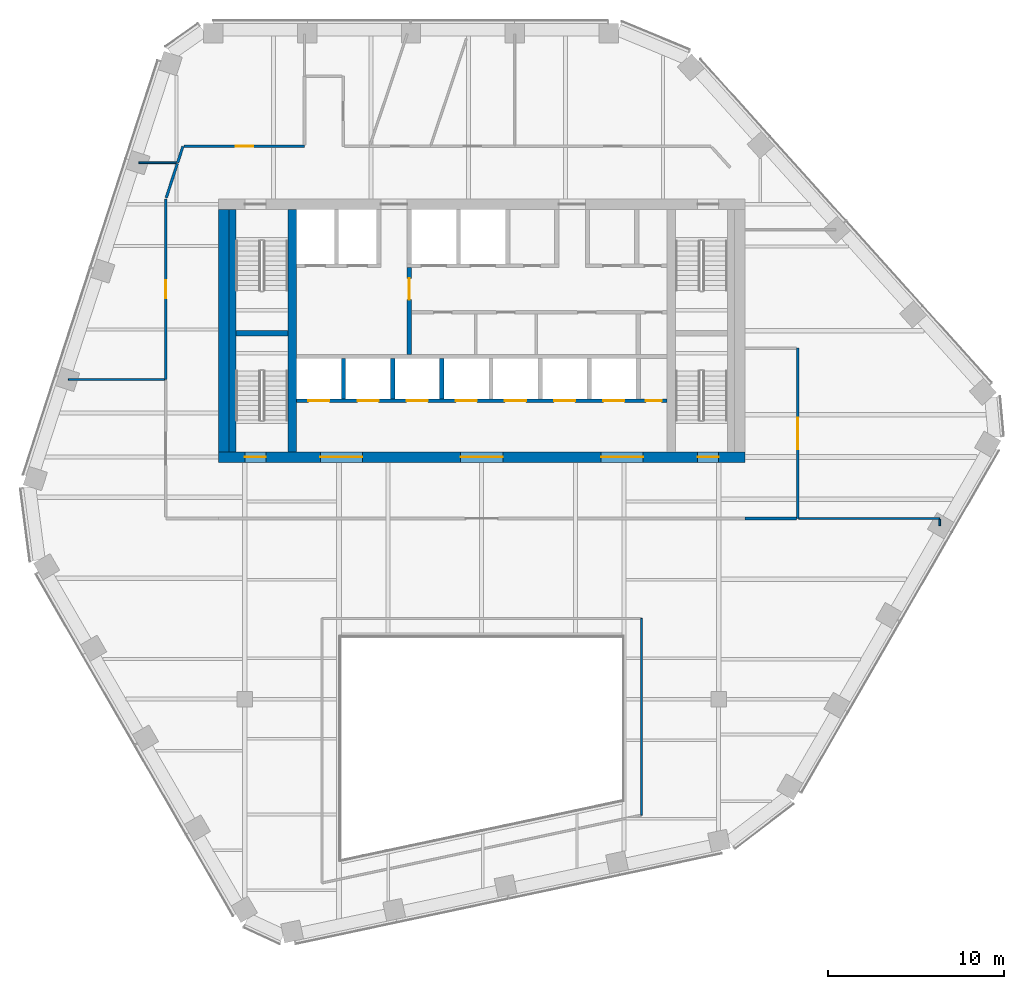
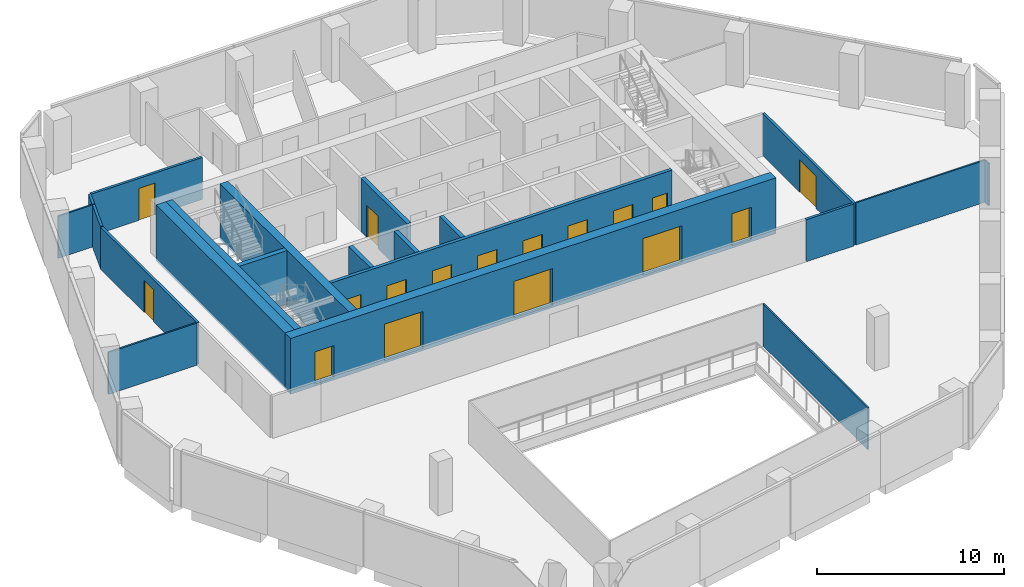
# One storey, part 9 of 15: 21 walls, 17 doors, 17 openings.
"""IFC4 building model written with IfcOpenShell, lengths in metres."""

import ifcopenshell
import ifcopenshell.guid

model = None  # the IFC model being written
_history = None  # IfcOwnerHistory: only IFC2X3 demands one
_inside = {}  # id of a spatial element -> (the spatial element, [elements in it])
_under = {}  # id of a project, library or spatial element -> (it, [spatial elements below it])
_declared = {}  # id of a project -> (the project, [libraries it declares])
_typed = {}  # id of a type object -> (the type object, [elements of that type])
_made_of = {}  # id of a material, layer set ... -> (it, [elements and type objects made of it])


def new_model(schema):
    """Start an empty IFC model of exactly this schema.

    Asked for "IFC4X3", IfcOpenShell would pick the latest addendum, in which some entities
    have other attributes; the version numbers below select the first issue.
    IFC2X3 requires an IfcOwnerHistory on every rooted entity: one is made here for all.
    """
    global model, _history
    if schema == "IFC4X3":
        model = ifcopenshell.file(schema_version=(4, 3, 0, 0))
    else:
        model = ifcopenshell.file(schema=schema)
    _inside.clear()
    _under.clear()
    _declared.clear()
    _typed.clear()
    _made_of.clear()
    _history = None
    if model.schema == "IFC2X3":
        org = make("IfcOrganization", Name="unknown")
        user = make(
            "IfcPersonAndOrganization",
            ThePerson=make("IfcPerson", FamilyName="unknown"),
            TheOrganization=org,
        )
        app = make(
            "IfcApplication",
            ApplicationDeveloper=org,
            Version="unknown",
            ApplicationFullName="unknown",
            ApplicationIdentifier="unknown",
        )
        _history = make(
            "IfcOwnerHistory",
            OwningUser=user,
            OwningApplication=app,
            ChangeAction="ADDED",
            CreationDate=0,
        )
    return model


def make(cls, **values):
    """One entity of the class cls with the attributes given. An attribute that is None is left unset."""
    return model.create_entity(
        cls, **{name: value for name, value in values.items() if value is not None}
    )


def rooted(cls, **values):
    """An entity with a GlobalId (a new one), such as an element, a storey or a relation."""
    return make(cls, GlobalId=ifcopenshell.guid.new(), OwnerHistory=_history, **values)


def si_unit(unit_type, name, prefix=None):
    """IfcSIUnit, for example si_unit("LENGTHUNIT", "METRE", prefix="MILLI")."""
    return make("IfcSIUnit", UnitType=unit_type, Prefix=prefix, Name=name)


def assignment(units):
    """IfcUnitAssignment: the units of a project."""
    return None if units is None else make("IfcUnitAssignment", Units=units)


def point(xyz):
    """IfcCartesianPoint."""
    return None if xyz is None else make("IfcCartesianPoint", Coordinates=xyz)


def direction(xyz):
    """IfcDirection."""
    return None if xyz is None else make("IfcDirection", DirectionRatios=xyz)


def frame(location, z_axis=None, x_axis=None):
    """IfcAxis2Placement3D, a coordinate frame: its origin and axes. An axis left out is left unset."""
    return make(
        "IfcAxis2Placement3D",
        Location=point(location),
        Axis=direction(z_axis),
        RefDirection=direction(x_axis),
    )


def frame_2d(location, x_axis=None):
    """IfcAxis2Placement2D, a coordinate frame in the plane: its origin and x axis."""
    return make(
        "IfcAxis2Placement2D", Location=point(location), RefDirection=direction(x_axis)
    )


def origin():
    """The frame at (0, 0, 0) with its axes left unset."""
    return frame((0.0, 0.0, 0.0))


def place(relative_to, where):
    """IfcLocalPlacement: puts the frame where relative to a parent placement (None: the world)."""
    return make(
        "IfcLocalPlacement", PlacementRelTo=relative_to, RelativePlacement=where
    )


def context(
    kind, dimensions, precision=None, world=None, true_north=None, identifier=None
):
    """IfcGeometricRepresentationContext, for example the 3D "Model" context."""
    return make(
        "IfcGeometricRepresentationContext",
        ContextIdentifier=identifier,
        ContextType=kind,
        CoordinateSpaceDimension=dimensions,
        Precision=precision,
        WorldCoordinateSystem=world,
        TrueNorth=true_north,
    )


def subcontext(parent, identifier, kind, view, scale=None):
    """IfcGeometricRepresentationSubContext, for example "Body" below "Model"."""
    return make(
        "IfcGeometricRepresentationSubContext",
        ContextIdentifier=identifier,
        ContextType=kind,
        ParentContext=parent,
        TargetScale=scale,
        TargetView=view,
    )


def project(units=None, contexts=None):
    """IfcProject with its units and contexts."""
    return rooted(
        "IfcProject",
        Name="project",
        RepresentationContexts=contexts,
        UnitsInContext=assignment(units),
    )


def spatial(cls, under=None, at=None, **own):
    """A site, building, storey or space (cls), placed at a placement, below another one or the project."""
    s = rooted(cls, ObjectPlacement=at, **own)
    if under is not None:
        _under.setdefault(under.id(), (under, []))[1].append(s)
    return s


def profile(cls, at=None, kind="AREA", **sizes):
    """A parametric profile (cls). Its sizes go by their IFC names, for example OverallWidth=200.0."""
    return make(cls, ProfileType=kind, Position=at, **sizes)


def rectangle(**sizes):
    """IfcRectangleProfileDef."""
    return profile("IfcRectangleProfileDef", **sizes)


def extrude(swept, where, along, depth):
    """IfcExtrudedAreaSolid: the profile swept, set in the frame where, extruded along a direction by depth."""
    return make(
        "IfcExtrudedAreaSolid",
        SweptArea=swept,
        Position=where,
        ExtrudedDirection=direction(along),
        Depth=depth,
    )


def shape(context_of_items, identifier, shape_type, items):
    """IfcShapeRepresentation: the items that make up one representation, for example the "Body"."""
    return make(
        "IfcShapeRepresentation",
        ContextOfItems=context_of_items,
        RepresentationIdentifier=identifier,
        RepresentationType=shape_type,
        Items=items,
    )


def material(Name=None, Category=None):
    """IfcMaterial."""
    return make("IfcMaterial", Name=Name, Category=Category)


def layer(
    of_material, thickness, ventilated=None, Name=None, Category=None, Priority=None
):
    """IfcMaterialLayer: one layer of a wall or slab, of a material (None: an air gap)."""
    return make(
        "IfcMaterialLayer",
        Material=of_material,
        LayerThickness=thickness,
        IsVentilated=ventilated,
        Name=Name,
        Category=Category,
        Priority=Priority,
    )


def layer_set(layers, Name=None):
    """IfcMaterialLayerSet."""
    return make("IfcMaterialLayerSet", MaterialLayers=layers, LayerSetName=Name)


def made_of(thing, what):
    """Note that an element or type object is made of a material, layer set ...; save() writes the relation."""
    if what is not None:
        _made_of.setdefault(what.id(), (what, []))[1].append(thing)
    return thing


def type_object(cls, material=None, **own):
    """A type object (cls), such as IfcWallType, which elements share."""
    return made_of(rooted(cls, **own), material)


def element(
    cls,
    number,
    at=None,
    inside=None,
    cuts=None,
    type_object=None,
    material=None,
    context=None,
    identifier="Body",
    shape_type=None,
    held_by="IfcProductDefinitionShape",
    body=None,
    shapes=None,
    **own,
):
    """One element of the class cls, such as IfcWall. Its Tag is "e" and its number.

    at: its placement. inside: the storey or other place that contains it. cuts: it is an
    opening in that element (IfcRelVoidsElement). A single representation is given by context,
    identifier, shape_type and body (its items); several are given by shapes. held_by: the class
    of the entity that holds the representations. save() writes the other relations.
    """
    e = rooted(cls, Tag="e%d" % number, ObjectPlacement=at, **own)
    if body is not None:
        shapes = [shape(context, identifier, shape_type, body)]
    if shapes is not None:
        e.Representation = make(held_by, Representations=shapes)
    if inside is not None:
        _inside.setdefault(inside.id(), (inside, []))[1].append(e)
    if cuts is not None:
        rooted(
            "IfcRelVoidsElement", RelatingBuildingElement=cuts, RelatedOpeningElement=e
        )
    if type_object is not None:
        _typed.setdefault(type_object.id(), (type_object, []))[1].append(e)
    return made_of(e, material)


def fill(opening, filler):
    """IfcRelFillsElement: the door or window that sits in an opening."""
    return rooted(
        "IfcRelFillsElement",
        RelatingOpeningElement=opening,
        RelatedBuildingElement=filler,
    )


def aggregate(whole, parts):
    """IfcRelAggregates: a whole, such as a stair, and the parts it consists of."""
    return rooted("IfcRelAggregates", RelatingObject=whole, RelatedObjects=parts)


def save(model, path):
    """Write the relations noted so far, then the file.

    IfcRelAggregates (storeys below a building ...), IfcRelContainedInSpatialStructure (elements
    in a storey), IfcRelDefinesByType, IfcRelAssociatesMaterial and IfcRelDeclares: one each for
    every whole, place, type object, material and project.
    """
    for whole, parts in _under.values():
        aggregate(whole, parts)
    for where, things in _inside.values():
        rooted(
            "IfcRelContainedInSpatialStructure",
            RelatedElements=things,
            RelatingStructure=where,
        )
    for kind, things in _typed.values():
        rooted("IfcRelDefinesByType", RelatedObjects=things, RelatingType=kind)
    for what, things in _made_of.values():
        rooted("IfcRelAssociatesMaterial", RelatedObjects=things, RelatingMaterial=what)
    for by, libraries in _declared.values():
        rooted("IfcRelDeclares", RelatingContext=by, RelatedDefinitions=libraries)
    model.write(path)


model = new_model("IFC4")

# Units and contexts
model_context = context("Model", 3, precision=1e-05, world=origin(), true_north=direction((0.0, 1.0)))
body_context = subcontext(model_context, "Body", "Model", "MODEL_VIEW")
ifc_project = project(units=[si_unit("LENGTHUNIT", "METRE"), si_unit("AREAUNIT", "SQUARE_METRE"), si_unit("VOLUMEUNIT", "CUBIC_METRE"), si_unit("PLANEANGLEUNIT", "RADIAN"), si_unit("MASSUNIT", "GRAM", prefix="KILO")], contexts=[model_context])

# Site, building, storey
site_placement = place(None, origin())
site = spatial("IfcSite", under=ifc_project, at=site_placement, CompositionType="ELEMENT")
building_placement = place(site_placement, origin())
building = spatial("IfcBuilding", under=site, at=building_placement, Name="Isthmus Gate Tower", CompositionType="ELEMENT")
storey_placement = place(building_placement, frame((0.0, 0.0, 223.60009765625)))
storey = spatial("IfcBuildingStorey", under=building, at=storey_placement, Name="L56", CompositionType="ELEMENT", Elevation=223.60009765625)

# Wall
ifc_material_1 = material(Name="Fire-rated laminated glass in steel frame", Category="steel")
ifc_layer_1 = layer(ifc_material_1, 0.10009765625)
ifc_layer_set_1 = layer_set([ifc_layer_1], Name="ATRIUM SCREEN GLAZED WALL 100 120 MIN")
wall_type_1 = type_object("IfcWallType", Name="ATRIUM SCREEN GLAZED WALL 100 120 MIN", PredefinedType="PARTITIONING", material=ifc_layer_set_1)
wall_1_placement = place(storey_placement, frame((9.10009765625, -8.89990234375, 0.0), z_axis=(0.0, 0.0, 1.0), x_axis=(0.0, -1.0, 0.0)))
element("IfcWall", 1, at=wall_1_placement, inside=storey, type_object=wall_type_1, Name="L56 atrium screen", PredefinedType="PARTITIONING", context=body_context, shape_type="SweptSolid", body=[
    extrude(rectangle(XDim=11.200927734375, YDim=0.10009765625, at=frame_2d((5.6005859375, 0.0))), origin(), (0.0, 0.0, 1.0), 2.75048828125),
])

# Wall, opening, door
ifc_material_2 = material(Name="Gypsum board on steel studs, fire-rated", Category="steel")
ifc_layer_2 = layer(ifc_material_2, 0.14990234375)
ifc_layer_set_2 = layer_set([ifc_layer_2], Name="CORRIDOR WALL 150 60 MIN")
wall_type_2 = type_object("IfcWallType", Name="CORRIDOR WALL 150 60 MIN", PredefinedType="PARTITIONING", material=ifc_layer_set_2)
wall_2_placement = place(storey_placement, frame((18.0, 6.5, 0.0), z_axis=(0.0, 0.0, 1.0), x_axis=(0.0, -1.0, 0.0)))
wall_2 = element("IfcWall", 2, at=wall_2_placement, inside=storey, type_object=wall_type_2, Name="L56 Corridor Wall 150 60 Min", PredefinedType="PARTITIONING", context=body_context, shape_type="SweptSolid", body=[
    extrude(rectangle(XDim=9.699951171875, YDim=0.14990234375, at=frame_2d((4.85009765625, 0.0))), origin(), (0.0, 0.0, 1.0), 2.75048828125),
])
opening_1_placement = place(wall_2_placement, frame((3.949951171875, 0.0, 0.0)))
opening_1 = element("IfcOpeningElement", 3, at=opening_1_placement, cuts=wall_2, Name="Opening DT-T5A-04", PredefinedType="OPENING", context=body_context, shape_type="SweptSolid", body=[
    extrude(rectangle(XDim=1.800048828125, YDim=2.10009765625, at=frame_2d((0.89990234375, 1.050048828125))), frame((0.0, 0.0849609375, 0.0), z_axis=(0.0, -1.0, 0.0), x_axis=(1.0, 0.0, 0.0)), (0.0, 0.0, 1.0), 0.169921875),
])
ifc_material_3 = material(Name="Solid core timber door leaf, fire-rated", Category="wood")
door_type_1 = type_object("IfcDoorType", Name="FIRE DOOR ROOM 1800 X 2100 60 MIN", OperationType="DOUBLE_DOOR_DOUBLE_SWING", PredefinedType="DOOR", material=ifc_material_3)
door_1_placement = place(opening_1_placement, origin())
door_1 = element("IfcDoor", 4, at=door_1_placement, inside=storey, type_object=door_type_1, Name="L56 room door", OperationType="DOUBLE_DOOR_DOUBLE_SWING", OverallHeight=2.10009765625, OverallWidth=1.800048828125, PredefinedType="DOOR", context=body_context, shape_type="SweptSolid", body=[
    extrude(rectangle(XDim=1.800048828125, YDim=2.10009765625, at=frame_2d((0.89990234375, 1.050048828125))), frame((0.0, 0.02490234375, 0.0), z_axis=(0.0, -1.0, 0.0), x_axis=(1.0, 0.0, 0.0)), (0.0, 0.0, 1.0), 0.050048828125),
])
fill(opening_1, door_1)

# Walls
wall_3_placement = place(storey_placement, frame((17.925048828125, -3.199951171875, 0.0), z_axis=(0.0, 0.0, 1.0), x_axis=(-1.0, 0.0, 0.0)))
element("IfcWall", 5, at=wall_3_placement, inside=storey, type_object=wall_type_2, Name="L56 Corridor Wall 150 60 Min", PredefinedType="PARTITIONING", context=body_context, shape_type="SweptSolid", body=[
    extrude(rectangle(XDim=2.925048828125, YDim=0.14990234375, at=frame_2d((1.46240234375, 0.0))), origin(), (0.0, 0.0, 1.0), 2.75048828125),
])
wall_4_placement = place(storey_placement, frame((-17.326904296875, 17.071044921875, 0.0), z_axis=(0.0, 0.0, 1.0), x_axis=(0.309170843074, 0.951006514064, 0.0)))
element("IfcWall", 6, at=wall_4_placement, inside=storey, type_object=wall_type_2, Name="L56 Corridor Wall 150 60 Min", PredefinedType="PARTITIONING", context=body_context, shape_type="SweptSolid", body=[
    extrude(rectangle(XDim=0.976806640625, YDim=0.14990234375, at=frame_2d((0.48828125, 0.0))), origin(), (0.0, 0.0, 1.0), 2.75048828125),
])

# Wall, opening, door
wall_5_placement = place(storey_placement, frame((-16.949951171875, 18.0, 0.0), z_axis=(0.0, 0.0, 1.0), x_axis=(1.0, 0.0, 0.0)))
wall_5 = element("IfcWall", 7, at=wall_5_placement, inside=storey, type_object=wall_type_2, Name="L56 Corridor Wall 150 60 Min", PredefinedType="PARTITIONING", context=body_context, shape_type="SweptSolid", body=[
    extrude(rectangle(XDim=6.849853515625, YDim=0.14990234375, at=frame_2d((3.4248046875, 0.0))), origin(), (0.0, 0.0, 1.0), 2.75048828125),
])
opening_2_placement = place(wall_5_placement, frame((2.925048828125, 0.0, 0.0)))
opening_2 = element("IfcOpeningElement", 8, at=opening_2_placement, cuts=wall_5, Name="Opening DT-T5A-01", PredefinedType="OPENING", context=body_context, shape_type="SweptSolid", body=[
    extrude(rectangle(XDim=1.0, YDim=2.10009765625, at=frame_2d((0.5, 1.050048828125))), frame((0.0, 0.0849609375, 0.0), z_axis=(0.0, -1.0, 0.0), x_axis=(1.0, 0.0, 0.0)), (0.0, 0.0, 1.0), 0.169921875),
])
ifc_material_4 = material(Name="Solid core timber door leaf, fire-rated", Category="wood")
door_type_2 = type_object("IfcDoorType", Name="FIRE DOOR ROOM 1000 X 2100 60 MIN", OperationType="SINGLE_SWING_LEFT", PredefinedType="DOOR", material=ifc_material_4)
door_2_placement = place(opening_2_placement, origin())
door_2 = element("IfcDoor", 9, at=door_2_placement, inside=storey, type_object=door_type_2, Name="L56 room door", OperationType="SINGLE_SWING_RIGHT", OverallHeight=2.10009765625, OverallWidth=1.0, PredefinedType="DOOR", context=body_context, shape_type="SweptSolid", body=[
    extrude(rectangle(XDim=1.0, YDim=2.10009765625, at=frame_2d((0.5, 1.050048828125))), frame((0.0, 0.02490234375, 0.0), z_axis=(0.0, -1.0, 0.0), x_axis=(1.0, 0.0, 0.0)), (0.0, 0.0, 1.0), 0.050048828125),
])
fill(opening_2, door_2)

wall_6_placement = place(storey_placement, frame((-18.0, 4.722900390625, 0.0), z_axis=(0.0, 0.0, 1.0), x_axis=(0.0, 1.0, 0.0)))
wall_6 = element("IfcWall", 10, at=wall_6_placement, inside=storey, type_object=wall_type_2, Name="L56 Corridor Wall 150 60 Min", PredefinedType="PARTITIONING", context=body_context, shape_type="SweptSolid", body=[
    extrude(rectangle(XDim=10.275146484375, YDim=0.14990234375, at=frame_2d((5.1376953125, 0.0))), origin(), (0.0, 0.0, 1.0), 2.75048828125),
])
opening_3_placement = place(wall_6_placement, frame((4.637451171875, 0.0, 0.0)))
opening_3 = element("IfcOpeningElement", 11, at=opening_3_placement, cuts=wall_6, Name="Opening DT-T5A-03", PredefinedType="OPENING", context=body_context, shape_type="SweptSolid", body=[
    extrude(rectangle(XDim=1.0, YDim=2.10009765625, at=frame_2d((0.5, 1.050048828125))), frame((0.0, 0.0849609375, 0.0), z_axis=(0.0, -1.0, 0.0), x_axis=(1.0, 0.0, 0.0)), (0.0, 0.0, 1.0), 0.169921875),
])
door_3_placement = place(opening_3_placement, origin())
door_3 = element("IfcDoor", 12, at=door_3_placement, inside=storey, type_object=door_type_2, Name="L56 room door", OperationType="SINGLE_SWING_RIGHT", OverallHeight=2.10009765625, OverallWidth=1.0, PredefinedType="DOOR", context=body_context, shape_type="SweptSolid", body=[
    extrude(rectangle(XDim=1.0, YDim=2.10009765625, at=frame_2d((0.5, 1.050048828125))), frame((0.0, 0.02490234375, 0.0), z_axis=(0.0, -1.0, 0.0), x_axis=(1.0, 0.0, 0.0)), (0.0, 0.0, 1.0), 0.050048828125),
])
fill(opening_3, door_3)

# Wall
wall_7_placement = place(storey_placement, frame((-17.976806640625, 15.0693359375, 0.0), z_axis=(0.0, 0.0, 1.0), x_axis=(0.308838863498, 0.951114376084, 0.0)))
element("IfcWall", 13, at=wall_7_placement, inside=storey, type_object=wall_type_2, Name="L56 Corridor Wall 150 60 Min", PredefinedType="PARTITIONING", context=body_context, shape_type="SweptSolid", body=[
    extrude(rectangle(XDim=2.054443359375, YDim=0.14990234375, at=frame_2d((1.02734375, 0.0))), origin(), (0.0, 0.0, 1.0), 2.75048828125),
])

# Wall, opening, door
ifc_material_5 = material(Name="Fire-rated blockwork masonry, 15 MPa", Category="masonry")
ifc_layer_3 = layer(ifc_material_5, 0.25)
ifc_layer_set_3 = layer_set([ifc_layer_3], Name="FIRE-FIGHTING LOBBY WALL 250 90 MIN")
wall_type_3 = type_object("IfcWallType", Name="FIRE-FIGHTING LOBBY WALL 250 90 MIN", PredefinedType="PARTITIONING", material=ifc_layer_set_3)
wall_8_placement = place(storey_placement, frame((-4.125, 6.14990234375, 0.0), z_axis=(0.0, 0.0, 1.0), x_axis=(0.0, 1.0, 0.0)))
wall_8 = element("IfcWall", 14, at=wall_8_placement, inside=storey, type_object=wall_type_3, Name="L56 FIRE-FIGHTING LOBBY WALL 250 90 MIN", PredefinedType="PARTITIONING", context=body_context, shape_type="SweptSolid", body=[
    extrude(rectangle(XDim=4.9501953125, YDim=0.25, at=frame_2d((2.47509765625, 0.0))), origin(), (0.0, 0.0, 1.0), 3.5),
])
opening_4_placement = place(wall_8_placement, frame((3.125, 0.0, 0.0)))
opening_4 = element("IfcOpeningElement", 15, at=opening_4_placement, cuts=wall_8, Name="Opening DC-A18-01", PredefinedType="OPENING", context=body_context, shape_type="SweptSolid", body=[
    extrude(rectangle(XDim=1.199951171875, YDim=2.10009765625, at=frame_2d((0.60009765625, 1.050048828125))), frame((0.0, 0.135009765625, 0.0), z_axis=(0.0, -1.0, 0.0), x_axis=(1.0, 0.0, 0.0)), (0.0, 0.0, 1.0), 0.27001953125),
])
ifc_material_6 = material(Name="Steel door leaf, fire-rated", Category="steel")
door_type_3 = type_object("IfcDoorType", Name="LOBBY FIRE DOOR 1200 X 2100 90 MIN", OperationType="DOUBLE_DOOR_SINGLE_SWING", PredefinedType="DOOR", material=ifc_material_6)
door_4_placement = place(opening_4_placement, origin())
door_4 = element("IfcDoor", 16, at=door_4_placement, inside=storey, type_object=door_type_3, Name="Fire-fighting Lobby Door", OperationType="SINGLE_SWING_LEFT", OverallHeight=2.10009765625, OverallWidth=1.199951171875, PredefinedType="DOOR", context=body_context, shape_type="SweptSolid", body=[
    extrude(rectangle(XDim=1.199951171875, YDim=2.10009765625, at=frame_2d((0.60009765625, 1.050048828125))), frame((0.0, 0.02490234375, 0.0), z_axis=(0.0, -1.0, 0.0), x_axis=(1.0, 0.0, 0.0)), (0.0, 0.0, 1.0), 0.050048828125),
])
fill(opening_4, door_4)

# Wall
ifc_material_7 = material(Name="Concrete f'c 50 MPa", Category="concrete")
ifc_layer_4 = layer(ifc_material_7, 0.5)
ifc_layer_set_4 = layer_set([ifc_layer_4], Name="RC CORE SPINE WALL 500 F'C 50")
wall_type_4 = type_object("IfcWallType", Name="RC CORE SPINE WALL 500 F'C 50", PredefinedType="SOLIDWALL", material=ifc_layer_set_4)
wall_9_placement = place(storey_placement, frame((-10.800048828125, 0.60009765625, -0.150146484375), z_axis=(0.0, 0.0, 1.0), x_axis=(0.0, 1.0, 0.0)))
element("IfcWall", 17, at=wall_9_placement, inside=storey, type_object=wall_type_4, Name="str-corewall-L56-SPW", PredefinedType="SOLIDWALL", context=body_context, shape_type="SweptSolid", body=[
    extrude(rectangle(XDim=13.7998046875, YDim=0.5, at=frame_2d((6.89990234375, 0.0))), origin(), (0.0, 0.0, 1.0), 3.650146484375),
])

# Wall, openings, doors
ifc_material_8 = material(Name="Concrete f'c 50 MPa", Category="concrete")
ifc_layer_5 = layer(ifc_material_8, 0.60009765625)
ifc_layer_set_5 = layer_set([ifc_layer_5], Name="RC CORE WALL 600 F'C 50")
wall_type_5 = type_object("IfcWallType", Name="RC CORE WALL 600 F'C 50", PredefinedType="SOLIDWALL", material=ifc_layer_set_5)
wall_10_placement = place(storey_placement, frame((-15.0, 0.300048828125, -0.150146484375), z_axis=(0.0, 0.0, 1.0), x_axis=(1.0, 0.0, 0.0)))
wall_10 = element("IfcWall", 18, at=wall_10_placement, inside=storey, type_object=wall_type_5, Name="str-corewall-L56-S", PredefinedType="SOLIDWALL", context=body_context, shape_type="SweptSolid", body=[
    extrude(rectangle(XDim=30.0, YDim=0.60009765625, at=frame_2d((15.0, 0.0))), origin(), (0.0, 0.0, 1.0), 3.650146484375),
])
opening_5_placement = place(wall_10_placement, frame((5.800048828125, 0.0, 0.14990234375)))
opening_5 = element("IfcOpeningElement", 19, at=opening_5_placement, cuts=wall_10, Name="Opening DC-A18-10", PredefinedType="OPENING", context=body_context, shape_type="SweptSolid", body=[
    extrude(rectangle(XDim=2.39990234375, YDim=2.39990234375, at=frame_2d((1.199951171875, 1.199951171875))), frame((0.0, 0.31005859375, 0.0), z_axis=(0.0, -1.0, 0.0), x_axis=(1.0, 0.0, 0.0)), (0.0, 0.0, 1.0), 0.6201171875),
])
opening_6_placement = place(wall_10_placement, frame((13.800048828125, 0.0, 0.14990234375)))
opening_6 = element("IfcOpeningElement", 20, at=opening_6_placement, cuts=wall_10, Name="Opening DC-A18-11", PredefinedType="OPENING", context=body_context, shape_type="SweptSolid", body=[
    extrude(rectangle(XDim=2.39990234375, YDim=2.39990234375, at=frame_2d((1.199951171875, 1.199951171875))), frame((0.0, 0.31005859375, 0.0), z_axis=(0.0, -1.0, 0.0), x_axis=(1.0, 0.0, 0.0)), (0.0, 0.0, 1.0), 0.6201171875),
])
opening_7_placement = place(wall_10_placement, frame((21.800048828125, 0.0, 0.14990234375)))
opening_7 = element("IfcOpeningElement", 21, at=opening_7_placement, cuts=wall_10, Name="Opening DC-A18-12", PredefinedType="OPENING", context=body_context, shape_type="SweptSolid", body=[
    extrude(rectangle(XDim=2.39990234375, YDim=2.39990234375, at=frame_2d((1.199951171875, 1.199951171875))), frame((0.0, 0.31005859375, 0.0), z_axis=(0.0, -1.0, 0.0), x_axis=(1.0, 0.0, 0.0)), (0.0, 0.0, 1.0), 0.6201171875),
])
opening_8_placement = place(wall_10_placement, frame((1.5, 0.0, 0.14990234375)))
opening_8 = element("IfcOpeningElement", 22, at=opening_8_placement, cuts=wall_10, Name="Opening DC-A18-17", PredefinedType="OPENING", context=body_context, shape_type="SweptSolid", body=[
    extrude(rectangle(XDim=1.199951171875, YDim=2.10009765625, at=frame_2d((0.60009765625, 1.050048828125))), frame((0.0, 0.31005859375, 0.0), z_axis=(0.0, -1.0, 0.0), x_axis=(1.0, 0.0, 0.0)), (0.0, 0.0, 1.0), 0.6201171875),
])
opening_9_placement = place(wall_10_placement, frame((27.300048828125, 0.0, 0.14990234375)))
opening_9 = element("IfcOpeningElement", 23, at=opening_9_placement, cuts=wall_10, Name="Opening DC-A18-18", PredefinedType="OPENING", context=body_context, shape_type="SweptSolid", body=[
    extrude(rectangle(XDim=1.199951171875, YDim=2.10009765625, at=frame_2d((0.60009765625, 1.050048828125))), frame((0.0, 0.31005859375, 0.0), z_axis=(0.0, -1.0, 0.0), x_axis=(1.0, 0.0, 0.0)), (0.0, 0.0, 1.0), 0.6201171875),
])
ifc_material_9 = material(Name="Laminated safety glass in steel frame, fire-rated", Category="steel")
door_type_4 = type_object("IfcDoorType", Name="LOBBY ENTRANCE FIRE DOOR 2400 X 2400 60 MIN", OperationType="DOUBLE_DOOR_DOUBLE_SWING", PredefinedType="DOOR", material=ifc_material_9)
door_5_placement = place(opening_5_placement, origin())
door_5 = element("IfcDoor", 24, at=door_5_placement, inside=storey, type_object=door_type_4, Name="Lobby Entrance PS-W", OperationType="DOUBLE_DOOR_DOUBLE_SWING", OverallHeight=2.39990234375, OverallWidth=2.39990234375, PredefinedType="DOOR", context=body_context, shape_type="SweptSolid", body=[
    extrude(rectangle(XDim=2.39990234375, YDim=2.39990234375, at=frame_2d((1.199951171875, 1.199951171875))), frame((0.0, 0.02490234375, 0.0), z_axis=(0.0, -1.0, 0.0), x_axis=(1.0, 0.0, 0.0)), (0.0, 0.0, 1.0), 0.050048828125),
])
fill(opening_5, door_5)
door_6_placement = place(opening_6_placement, origin())
door_6 = element("IfcDoor", 25, at=door_6_placement, inside=storey, type_object=door_type_4, Name="Lobby Entrance PS-C", OperationType="DOUBLE_DOOR_DOUBLE_SWING", OverallHeight=2.39990234375, OverallWidth=2.39990234375, PredefinedType="DOOR", context=body_context, shape_type="SweptSolid", body=[
    extrude(rectangle(XDim=2.39990234375, YDim=2.39990234375, at=frame_2d((1.199951171875, 1.199951171875))), frame((0.0, 0.02490234375, 0.0), z_axis=(0.0, -1.0, 0.0), x_axis=(1.0, 0.0, 0.0)), (0.0, 0.0, 1.0), 0.050048828125),
])
fill(opening_6, door_6)
door_7_placement = place(opening_7_placement, origin())
door_7 = element("IfcDoor", 26, at=door_7_placement, inside=storey, type_object=door_type_4, Name="Lobby Entrance PS-E", OperationType="DOUBLE_DOOR_DOUBLE_SWING", OverallHeight=2.39990234375, OverallWidth=2.39990234375, PredefinedType="DOOR", context=body_context, shape_type="SweptSolid", body=[
    extrude(rectangle(XDim=2.39990234375, YDim=2.39990234375, at=frame_2d((1.199951171875, 1.199951171875))), frame((0.0, 0.02490234375, 0.0), z_axis=(0.0, -1.0, 0.0), x_axis=(1.0, 0.0, 0.0)), (0.0, 0.0, 1.0), 0.050048828125),
])
fill(opening_7, door_7)
ifc_material_10 = material(Name="Steel door leaf, fire-rated", Category="steel")
door_type_5 = type_object("IfcDoorType", Name="STAIR FIRE DOOR 1200 X 2100 90 MIN", OperationType="SINGLE_SWING_LEFT", PredefinedType="DOOR", material=ifc_material_10)
door_8_placement = place(opening_8_placement, origin())
door_8 = element("IfcDoor", 27, at=door_8_placement, inside=storey, type_object=door_type_5, Name="Exit Stair 7 Door", OperationType="SINGLE_SWING_LEFT", OverallHeight=2.10009765625, OverallWidth=1.199951171875, PredefinedType="DOOR", context=body_context, shape_type="SweptSolid", body=[
    extrude(rectangle(XDim=1.199951171875, YDim=2.10009765625, at=frame_2d((0.60009765625, 1.050048828125))), frame((0.0, 0.02490234375, 0.0), z_axis=(0.0, -1.0, 0.0), x_axis=(1.0, 0.0, 0.0)), (0.0, 0.0, 1.0), 0.050048828125),
])
fill(opening_8, door_8)
door_9_placement = place(opening_9_placement, origin())
door_9 = element("IfcDoor", 28, at=door_9_placement, inside=storey, type_object=door_type_5, Name="Exit Stair 8 Door", OperationType="SINGLE_SWING_RIGHT", OverallHeight=2.10009765625, OverallWidth=1.199951171875, PredefinedType="DOOR", context=body_context, shape_type="SweptSolid", body=[
    extrude(rectangle(XDim=1.199951171875, YDim=2.10009765625, at=frame_2d((0.60009765625, 1.050048828125))), frame((0.0, 0.02490234375, 0.0), z_axis=(0.0, -1.0, 0.0), x_axis=(1.0, 0.0, 0.0)), (0.0, 0.0, 1.0), 0.050048828125),
])
fill(opening_9, door_9)

# Walls
wall_11_placement = place(storey_placement, frame((-14.699951171875, 0.60009765625, -0.150146484375), z_axis=(0.0, 0.0, 1.0), x_axis=(0.0, 1.0, 0.0)))
element("IfcWall", 29, at=wall_11_placement, inside=storey, type_object=wall_type_5, Name="str-corewall-L56-W", PredefinedType="SOLIDWALL", context=body_context, shape_type="SweptSolid", body=[
    extrude(rectangle(XDim=13.7998046875, YDim=0.60009765625, at=frame_2d((6.89990234375, 0.0))), origin(), (0.0, 0.0, 1.0), 3.650146484375),
])
ifc_material_11 = material(Name="Gypsum board on steel studs, fire-rated", Category="steel")
ifc_layer_6 = layer(ifc_material_11, 0.10009765625)
ifc_layer_set_6 = layer_set([ifc_layer_6], Name="ROOM PARTITION 100 30 MIN")
wall_type_6 = type_object("IfcWallType", Name="ROOM PARTITION 100 30 MIN", PredefinedType="PARTITIONING", material=ifc_layer_set_6)
wall_12_placement = place(storey_placement, frame((-19.534912109375, 17.071044921875, 0.0), z_axis=(0.0, 0.0, 1.0), x_axis=(1.0, 0.0, 0.0)))
element("IfcWall", 30, at=wall_12_placement, inside=storey, type_object=wall_type_6, Name="L56 Room Partition 100 30 Min", PredefinedType="PARTITIONING", context=body_context, shape_type="SweptSolid", body=[
    extrude(rectangle(XDim=2.1328125, YDim=0.10009765625, at=frame_2d((1.06640625, 0.0))), origin(), (0.0, 0.0, 1.0), 2.75048828125),
])
wall_13_placement = place(storey_placement, frame((-23.547119140625, 4.722900390625, 0.0), z_axis=(0.0, 0.0, 1.0), x_axis=(1.0, 0.0, 0.0)))
element("IfcWall", 31, at=wall_13_placement, inside=storey, type_object=wall_type_6, Name="L56 Room Partition 100 30 Min", PredefinedType="PARTITIONING", context=body_context, shape_type="SweptSolid", body=[
    extrude(rectangle(XDim=5.47216796875, YDim=0.10009765625, at=frame_2d((2.736083984375, 0.0))), origin(), (0.0, 0.0, 1.0), 2.75048828125),
])
wall_14_placement = place(storey_placement, frame((18.075927734375, -3.197998046875, 0.0), z_axis=(0.0, 0.0, 1.0), x_axis=(1.0, 0.0, 0.0)))
element("IfcWall", 32, at=wall_14_placement, inside=storey, type_object=wall_type_6, Name="L56 Room Partition 100 30 Min", PredefinedType="PARTITIONING", context=body_context, shape_type="SweptSolid", body=[
    extrude(rectangle(XDim=8.01318359375, YDim=0.10009765625, at=frame_2d((4.006591796875, 0.0))), origin(), (0.0, 0.0, 1.0), 2.75048828125),
])
wall_15_placement = place(storey_placement, frame((26.089111328125, -3.613037109375, 0.0), z_axis=(0.0, 0.0, 1.0), x_axis=(0.0, 1.0, 0.0)))
element("IfcWall", 33, at=wall_15_placement, inside=storey, type_object=wall_type_6, Name="L56 Room Partition 100 30 Min", PredefinedType="PARTITIONING", context=body_context, shape_type="SweptSolid", body=[
    extrude(rectangle(XDim=0.364990234375, YDim=0.10009765625, at=frame_2d((0.1826171875, 0.0))), origin(), (0.0, 0.0, 1.0), 2.75048828125),
])

# Wall, openings, doors
ifc_material_12 = material(Name="Fire-rated blockwork masonry, 15 MPa", Category="masonry")
ifc_layer_7 = layer(ifc_material_12, 0.199951171875)
ifc_layer_set_7 = layer_set([ifc_layer_7], Name="SHAFT FRONT WALL 200 120 MIN")
wall_type_7 = type_object("IfcWallType", Name="SHAFT FRONT WALL 200 120 MIN", PredefinedType="PARTITIONING", material=ifc_layer_set_7)
wall_16_placement = place(storey_placement, frame((-10.550048828125, 3.5, 0.0), z_axis=(0.0, 0.0, 1.0), x_axis=(1.0, 0.0, 0.0)))
wall_16 = element("IfcWall", 34, at=wall_16_placement, inside=storey, type_object=wall_type_7, Name="L56 SHAFT FRONT WALL 200 120 MIN", PredefinedType="PARTITIONING", context=body_context, shape_type="SweptSolid", body=[
    extrude(rectangle(XDim=21.10009765625, YDim=0.199951171875, at=frame_2d((10.550048828125, 0.0))), origin(), (0.0, 0.0, 1.0), 3.5),
])
opening_10_placement = place(wall_16_placement, frame((0.675048828125, 0.0, 0.0)))
opening_10 = element("IfcOpeningElement", 35, at=opening_10_placement, cuts=wall_16, Name="Opening LD-LC1", PredefinedType="OPENING", context=body_context, shape_type="SweptSolid", body=[
    extrude(rectangle(XDim=1.199951171875, YDim=2.10009765625, at=frame_2d((0.60009765625, 1.050048828125))), frame((0.0, 0.10986328125, 0.0), z_axis=(0.0, -1.0, 0.0), x_axis=(1.0, 0.0, 0.0)), (0.0, 0.0, 1.0), 0.219970703125),
])
opening_11_placement = place(wall_16_placement, frame((3.47509765625, 0.0, 0.0)))
opening_11 = element("IfcOpeningElement", 36, at=opening_11_placement, cuts=wall_16, Name="Opening LD-LC2", PredefinedType="OPENING", context=body_context, shape_type="SweptSolid", body=[
    extrude(rectangle(XDim=1.199951171875, YDim=2.10009765625, at=frame_2d((0.60009765625, 1.050048828125))), frame((0.0, 0.10986328125, 0.0), z_axis=(0.0, -1.0, 0.0), x_axis=(1.0, 0.0, 0.0)), (0.0, 0.0, 1.0), 0.219970703125),
])
opening_12_placement = place(wall_16_placement, frame((6.27490234375, 0.0, 0.0)))
opening_12 = element("IfcOpeningElement", 37, at=opening_12_placement, cuts=wall_16, Name="Opening LD-LC3", PredefinedType="OPENING", context=body_context, shape_type="SweptSolid", body=[
    extrude(rectangle(XDim=1.199951171875, YDim=2.10009765625, at=frame_2d((0.60009765625, 1.050048828125))), frame((0.0, 0.10986328125, 0.0), z_axis=(0.0, -1.0, 0.0), x_axis=(1.0, 0.0, 0.0)), (0.0, 0.0, 1.0), 0.219970703125),
])
opening_13_placement = place(wall_16_placement, frame((9.074951171875, 0.0, 0.0)))
opening_13 = element("IfcOpeningElement", 38, at=opening_13_placement, cuts=wall_16, Name="Opening LD-LC4", PredefinedType="OPENING", context=body_context, shape_type="SweptSolid", body=[
    extrude(rectangle(XDim=1.199951171875, YDim=2.10009765625, at=frame_2d((0.60009765625, 1.050048828125))), frame((0.0, 0.10986328125, 0.0), z_axis=(0.0, -1.0, 0.0), x_axis=(1.0, 0.0, 0.0)), (0.0, 0.0, 1.0), 0.219970703125),
])
opening_14_placement = place(wall_16_placement, frame((11.875, 0.0, 0.0)))
opening_14 = element("IfcOpeningElement", 39, at=opening_14_placement, cuts=wall_16, Name="Opening LD-LC5", PredefinedType="OPENING", context=body_context, shape_type="SweptSolid", body=[
    extrude(rectangle(XDim=1.199951171875, YDim=2.10009765625, at=frame_2d((0.60009765625, 1.050048828125))), frame((0.0, 0.10986328125, 0.0), z_axis=(0.0, -1.0, 0.0), x_axis=(1.0, 0.0, 0.0)), (0.0, 0.0, 1.0), 0.219970703125),
])
opening_15_placement = place(wall_16_placement, frame((14.675048828125, 0.0, 0.0)))
opening_15 = element("IfcOpeningElement", 40, at=opening_15_placement, cuts=wall_16, Name="Opening LD-LC6", PredefinedType="OPENING", context=body_context, shape_type="SweptSolid", body=[
    extrude(rectangle(XDim=1.199951171875, YDim=2.10009765625, at=frame_2d((0.60009765625, 1.050048828125))), frame((0.0, 0.10986328125, 0.0), z_axis=(0.0, -1.0, 0.0), x_axis=(1.0, 0.0, 0.0)), (0.0, 0.0, 1.0), 0.219970703125),
])
opening_16_placement = place(wall_16_placement, frame((17.47509765625, 0.0, 0.0)))
opening_16 = element("IfcOpeningElement", 41, at=opening_16_placement, cuts=wall_16, Name="Opening LD-LC7", PredefinedType="OPENING", context=body_context, shape_type="SweptSolid", body=[
    extrude(rectangle(XDim=1.199951171875, YDim=2.10009765625, at=frame_2d((0.60009765625, 1.050048828125))), frame((0.0, 0.10986328125, 0.0), z_axis=(0.0, -1.0, 0.0), x_axis=(1.0, 0.0, 0.0)), (0.0, 0.0, 1.0), 0.219970703125),
])
opening_17_placement = place(wall_16_placement, frame((19.89990234375, 0.0, 0.0)))
opening_17 = element("IfcOpeningElement", 42, at=opening_17_placement, cuts=wall_16, Name="Opening DC-A18-02", PredefinedType="OPENING", context=body_context, shape_type="SweptSolid", body=[
    extrude(rectangle(XDim=0.89990234375, YDim=2.10009765625, at=frame_2d((0.449951171875, 1.050048828125))), frame((0.0, 0.10986328125, 0.0), z_axis=(0.0, -1.0, 0.0), x_axis=(1.0, 0.0, 0.0)), (0.0, 0.0, 1.0), 0.219970703125),
])
ifc_material_13 = material(Name="Stainless steel sliding leaf", Category="steel")
door_type_6 = type_object("IfcDoorType", Name="LIFT LANDING FIRE DOOR 1200 X 2100 90 MIN", OperationType="DOUBLE_DOOR_SLIDING", PredefinedType="DOOR", material=ifc_material_13)
door_10_placement = place(opening_10_placement, origin())
door_10 = element("IfcDoor", 43, at=door_10_placement, inside=storey, type_object=door_type_6, Name="Lift Landing Door LC1", OperationType="DOUBLE_DOOR_SLIDING", OverallHeight=2.10009765625, OverallWidth=1.199951171875, PredefinedType="DOOR", context=body_context, shape_type="SweptSolid", body=[
    extrude(rectangle(XDim=1.199951171875, YDim=2.10009765625, at=frame_2d((0.60009765625, 1.050048828125))), frame((0.0, 0.02490234375, 0.0), z_axis=(0.0, -1.0, 0.0), x_axis=(1.0, 0.0, 0.0)), (0.0, 0.0, 1.0), 0.050048828125),
])
fill(opening_10, door_10)
door_11_placement = place(opening_11_placement, origin())
door_11 = element("IfcDoor", 44, at=door_11_placement, inside=storey, type_object=door_type_6, Name="Lift Landing Door LC2", OperationType="DOUBLE_DOOR_SLIDING", OverallHeight=2.10009765625, OverallWidth=1.199951171875, PredefinedType="DOOR", context=body_context, shape_type="SweptSolid", body=[
    extrude(rectangle(XDim=1.199951171875, YDim=2.10009765625, at=frame_2d((0.60009765625, 1.050048828125))), frame((0.0, 0.02490234375, 0.0), z_axis=(0.0, -1.0, 0.0), x_axis=(1.0, 0.0, 0.0)), (0.0, 0.0, 1.0), 0.050048828125),
])
fill(opening_11, door_11)
door_12_placement = place(opening_12_placement, origin())
door_12 = element("IfcDoor", 45, at=door_12_placement, inside=storey, type_object=door_type_6, Name="Lift Landing Door LC3", OperationType="DOUBLE_DOOR_SLIDING", OverallHeight=2.10009765625, OverallWidth=1.199951171875, PredefinedType="DOOR", context=body_context, shape_type="SweptSolid", body=[
    extrude(rectangle(XDim=1.199951171875, YDim=2.10009765625, at=frame_2d((0.60009765625, 1.050048828125))), frame((0.0, 0.02490234375, 0.0), z_axis=(0.0, -1.0, 0.0), x_axis=(1.0, 0.0, 0.0)), (0.0, 0.0, 1.0), 0.050048828125),
])
fill(opening_12, door_12)
door_13_placement = place(opening_13_placement, origin())
door_13 = element("IfcDoor", 46, at=door_13_placement, inside=storey, type_object=door_type_6, Name="Lift Landing Door LC4", OperationType="DOUBLE_DOOR_SLIDING", OverallHeight=2.10009765625, OverallWidth=1.199951171875, PredefinedType="DOOR", context=body_context, shape_type="SweptSolid", body=[
    extrude(rectangle(XDim=1.199951171875, YDim=2.10009765625, at=frame_2d((0.60009765625, 1.050048828125))), frame((0.0, 0.02490234375, 0.0), z_axis=(0.0, -1.0, 0.0), x_axis=(1.0, 0.0, 0.0)), (0.0, 0.0, 1.0), 0.050048828125),
])
fill(opening_13, door_13)
door_14_placement = place(opening_14_placement, origin())
door_14 = element("IfcDoor", 47, at=door_14_placement, inside=storey, type_object=door_type_6, Name="Lift Landing Door LC5", OperationType="DOUBLE_DOOR_SLIDING", OverallHeight=2.10009765625, OverallWidth=1.199951171875, PredefinedType="DOOR", context=body_context, shape_type="SweptSolid", body=[
    extrude(rectangle(XDim=1.199951171875, YDim=2.10009765625, at=frame_2d((0.60009765625, 1.050048828125))), frame((0.0, 0.02490234375, 0.0), z_axis=(0.0, -1.0, 0.0), x_axis=(1.0, 0.0, 0.0)), (0.0, 0.0, 1.0), 0.050048828125),
])
fill(opening_14, door_14)
door_15_placement = place(opening_15_placement, origin())
door_15 = element("IfcDoor", 48, at=door_15_placement, inside=storey, type_object=door_type_6, Name="Lift Landing Door LC6", OperationType="DOUBLE_DOOR_SLIDING", OverallHeight=2.10009765625, OverallWidth=1.199951171875, PredefinedType="DOOR", context=body_context, shape_type="SweptSolid", body=[
    extrude(rectangle(XDim=1.199951171875, YDim=2.10009765625, at=frame_2d((0.60009765625, 1.050048828125))), frame((0.0, 0.02490234375, 0.0), z_axis=(0.0, -1.0, 0.0), x_axis=(1.0, 0.0, 0.0)), (0.0, 0.0, 1.0), 0.050048828125),
])
fill(opening_15, door_15)
door_16_placement = place(opening_16_placement, origin())
door_16 = element("IfcDoor", 49, at=door_16_placement, inside=storey, type_object=door_type_6, Name="Lift Landing Door LC7", OperationType="DOUBLE_DOOR_SLIDING", OverallHeight=2.10009765625, OverallWidth=1.199951171875, PredefinedType="DOOR", context=body_context, shape_type="SweptSolid", body=[
    extrude(rectangle(XDim=1.199951171875, YDim=2.10009765625, at=frame_2d((0.60009765625, 1.050048828125))), frame((0.0, 0.02490234375, 0.0), z_axis=(0.0, -1.0, 0.0), x_axis=(1.0, 0.0, 0.0)), (0.0, 0.0, 1.0), 0.050048828125),
])
fill(opening_16, door_16)
ifc_material_14 = material(Name="Steel door leaf, fire-rated", Category="steel")
door_type_7 = type_object("IfcDoorType", Name="RISER FIRE DOOR 900 X 2100 90 MIN", OperationType="SINGLE_SWING_LEFT", PredefinedType="DOOR", material=ifc_material_14)
door_17_placement = place(opening_17_placement, origin())
door_17 = element("IfcDoor", 50, at=door_17_placement, inside=storey, type_object=door_type_7, Name="Riser Door", OperationType="SINGLE_SWING_RIGHT", OverallHeight=2.10009765625, OverallWidth=0.89990234375, PredefinedType="DOOR", context=body_context, shape_type="SweptSolid", body=[
    extrude(rectangle(XDim=0.89990234375, YDim=2.10009765625, at=frame_2d((0.449951171875, 1.050048828125))), frame((0.0, 0.02490234375, 0.0), z_axis=(0.0, -1.0, 0.0), x_axis=(1.0, 0.0, 0.0)), (0.0, 0.0, 1.0), 0.050048828125),
])
fill(opening_17, door_17)

# Walls
ifc_material_15 = material(Name="Fire-rated blockwork masonry, 15 MPa", Category="masonry")
ifc_layer_8 = layer(ifc_material_15, 0.25)
ifc_layer_set_8 = layer_set([ifc_layer_8], Name="SHAFT WALL 250 120 MIN")
wall_type_8 = type_object("IfcWallType", Name="SHAFT WALL 250 120 MIN", PredefinedType="PARTITIONING", material=ifc_layer_set_8)
for number, where, z_axis, x_axis, name in (
    (51, (-7.875, 3.60009765625, 0.0), (0.0, 0.0, 1.0), (0.0, 1.0, 0.0), "L56 SHAFT WALL 250 120 MIN"),
    (52, (-5.074951171875, 3.60009765625, 0.0), (0.0, 0.0, 1.0), (0.0, 1.0, 0.0), "L56 SHAFT WALL 250 120 MIN"),
    (53, (-2.27490234375, 3.60009765625, 0.0), (0.0, 0.0, 1.0), (0.0, 1.0, 0.0), "L56 SHAFT WALL 250 120 MIN"),
):
    element("IfcWall", number, at=place(storey_placement, frame(where, z_axis=z_axis, x_axis=x_axis)), inside=storey, type_object=wall_type_8, Name=name, PredefinedType="PARTITIONING", context=body_context, shape_type="SweptSolid", body=[
        extrude(rectangle(XDim=2.2998046875, YDim=0.25, at=frame_2d((1.14990234375, 0.0))), origin(), (0.0, 0.0, 1.0), 3.5),
    ])
ifc_material_16 = material(Name="Concrete f'c 40 MPa", Category="concrete")
ifc_layer_9 = layer(ifc_material_16, 0.300048828125)
ifc_layer_set_9 = layer_set([ifc_layer_9], Name="STAIR ENCLOSURE WALL 300 180 MIN")
wall_type_9 = type_object("IfcWallType", Name="STAIR ENCLOSURE WALL 300 180 MIN", PredefinedType="SOLIDWALL", material=ifc_layer_set_9)
wall_17_placement = place(storey_placement, frame((-14.0, 7.35009765625, 0.0), z_axis=(0.0, 0.0, 1.0), x_axis=(1.0, 0.0, 0.0)))
element("IfcWall", 54, at=wall_17_placement, inside=storey, type_object=wall_type_9, Name="L56 STAIR ENCLOSURE WALL 300 180 MIN", PredefinedType="SOLIDWALL", context=body_context, shape_type="SweptSolid", body=[
    extrude(rectangle(XDim=2.949951171875, YDim=0.300048828125, at=frame_2d((1.47509765625, 0.0))), origin(), (0.0, 0.0, 1.0), 3.5),
])
ifc_material_17 = material(Name="Concrete f'c 40 MPa", Category="concrete")
ifc_layer_10 = layer(ifc_material_17, 0.39990234375)
ifc_layer_set_10 = layer_set([ifc_layer_10], Name="STAIR ENCLOSURE WALL 400 180 MIN")
wall_type_10 = type_object("IfcWallType", Name="STAIR ENCLOSURE WALL 400 180 MIN", PredefinedType="SOLIDWALL", material=ifc_layer_set_10)
wall_18_placement = place(storey_placement, frame((-14.199951171875, 0.60009765625, 0.0), z_axis=(0.0, 0.0, 1.0), x_axis=(0.0, 1.0, 0.0)))
element("IfcWall", 55, at=wall_18_placement, inside=storey, type_object=wall_type_10, Name="L56 STAIR ENCLOSURE WALL 400 180 MIN", PredefinedType="SOLIDWALL", context=body_context, shape_type="SweptSolid", body=[
    extrude(rectangle(XDim=13.7998046875, YDim=0.39990234375, at=frame_2d((6.89990234375, 0.0))), origin(), (0.0, 0.0, 1.0), 3.5),
])

save(model, "model.ifc")
